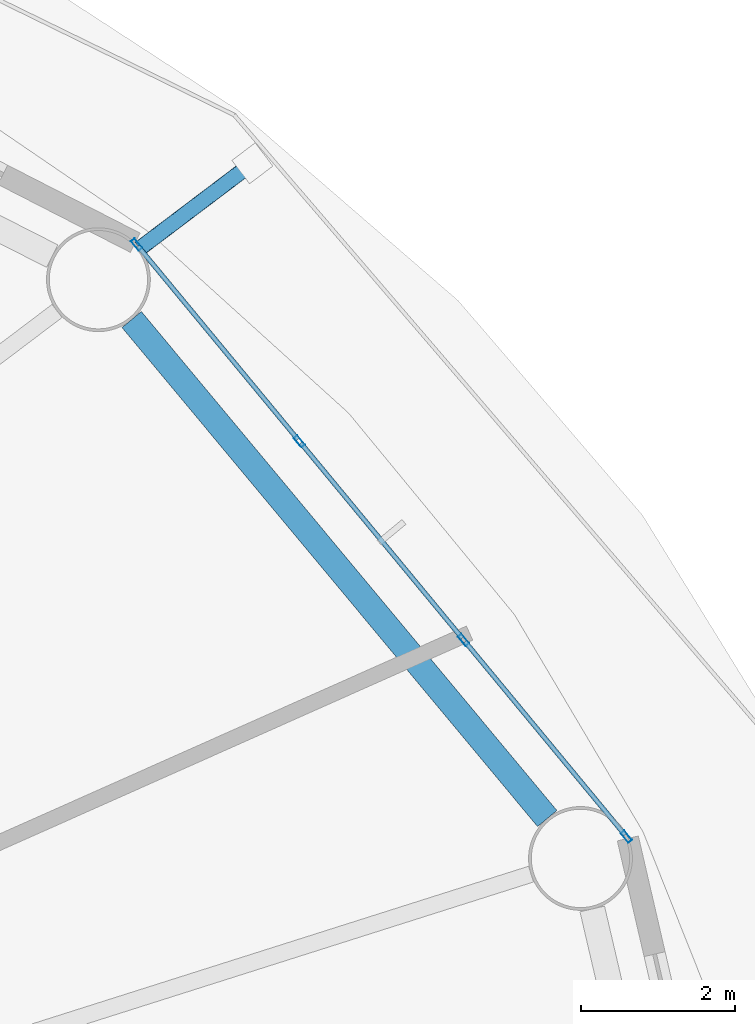
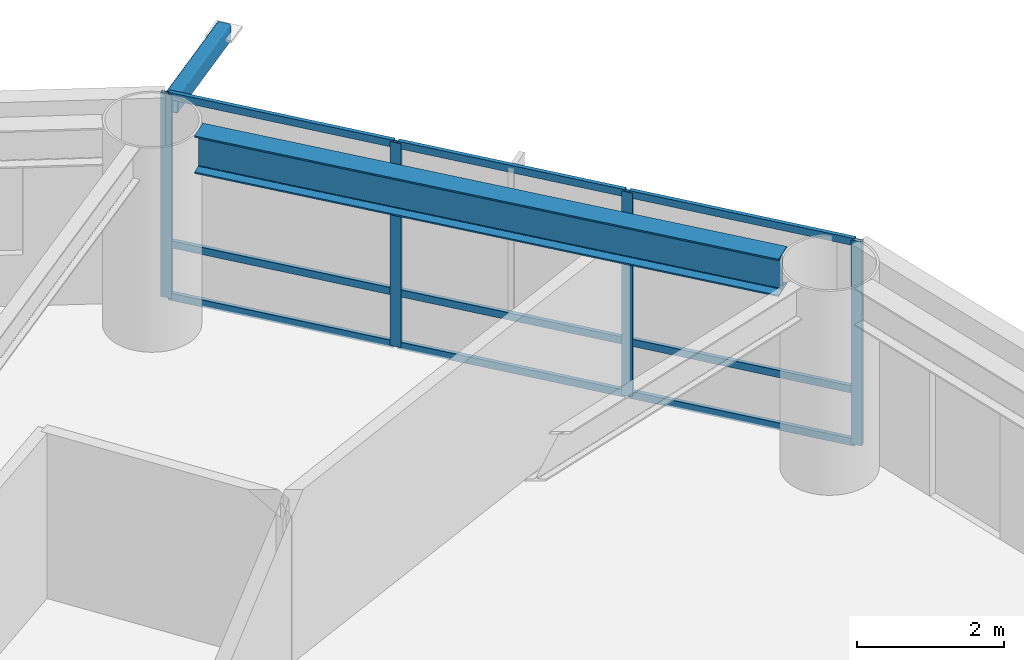
# One storey, part 14 of 26: 14 members, 1 beam, 1 element without a shape of its own.
"""IFC4 building model written with IfcOpenShell, lengths in metres."""

import ifcopenshell
import ifcopenshell.guid

model = None  # the IFC model being written
_history = None  # IfcOwnerHistory: only IFC2X3 demands one
_inside = {}  # id of a spatial element -> (the spatial element, [elements in it])
_under = {}  # id of a project, library or spatial element -> (it, [spatial elements below it])
_declared = {}  # id of a project -> (the project, [libraries it declares])
_typed = {}  # id of a type object -> (the type object, [elements of that type])
_made_of = {}  # id of a material, layer set ... -> (it, [elements and type objects made of it])


def new_model(schema):
    """Start an empty IFC model of exactly this schema.

    Asked for "IFC4X3", IfcOpenShell would pick the latest addendum, in which some entities
    have other attributes; the version numbers below select the first issue.
    IFC2X3 requires an IfcOwnerHistory on every rooted entity: one is made here for all.
    """
    global model, _history
    if schema == "IFC4X3":
        model = ifcopenshell.file(schema_version=(4, 3, 0, 0))
    else:
        model = ifcopenshell.file(schema=schema)
    _inside.clear()
    _under.clear()
    _declared.clear()
    _typed.clear()
    _made_of.clear()
    _history = None
    if model.schema == "IFC2X3":
        org = make("IfcOrganization", Name="unknown")
        user = make(
            "IfcPersonAndOrganization",
            ThePerson=make("IfcPerson", FamilyName="unknown"),
            TheOrganization=org,
        )
        app = make(
            "IfcApplication",
            ApplicationDeveloper=org,
            Version="unknown",
            ApplicationFullName="unknown",
            ApplicationIdentifier="unknown",
        )
        _history = make(
            "IfcOwnerHistory",
            OwningUser=user,
            OwningApplication=app,
            ChangeAction="ADDED",
            CreationDate=0,
        )
    return model


def make(cls, **values):
    """One entity of the class cls with the attributes given. An attribute that is None is left unset."""
    return model.create_entity(
        cls, **{name: value for name, value in values.items() if value is not None}
    )


def rooted(cls, **values):
    """An entity with a GlobalId (a new one), such as an element, a storey or a relation."""
    return make(cls, GlobalId=ifcopenshell.guid.new(), OwnerHistory=_history, **values)


def si_unit(unit_type, name, prefix=None):
    """IfcSIUnit, for example si_unit("LENGTHUNIT", "METRE", prefix="MILLI")."""
    return make("IfcSIUnit", UnitType=unit_type, Prefix=prefix, Name=name)


def assignment(units):
    """IfcUnitAssignment: the units of a project."""
    return None if units is None else make("IfcUnitAssignment", Units=units)


def point(xyz):
    """IfcCartesianPoint."""
    return None if xyz is None else make("IfcCartesianPoint", Coordinates=xyz)


def direction(xyz):
    """IfcDirection."""
    return None if xyz is None else make("IfcDirection", DirectionRatios=xyz)


def frame(location, z_axis=None, x_axis=None):
    """IfcAxis2Placement3D, a coordinate frame: its origin and axes. An axis left out is left unset."""
    return make(
        "IfcAxis2Placement3D",
        Location=point(location),
        Axis=direction(z_axis),
        RefDirection=direction(x_axis),
    )


def frame_2d(location, x_axis=None):
    """IfcAxis2Placement2D, a coordinate frame in the plane: its origin and x axis."""
    return make(
        "IfcAxis2Placement2D", Location=point(location), RefDirection=direction(x_axis)
    )


def origin():
    """The frame at (0, 0, 0) with its axes left unset."""
    return frame((0.0, 0.0, 0.0))


def origin_2d():
    """The frame at (0, 0) in the plane with its x axis left unset."""
    return frame_2d((0.0, 0.0))


def place(relative_to, where):
    """IfcLocalPlacement: puts the frame where relative to a parent placement (None: the world)."""
    return make(
        "IfcLocalPlacement", PlacementRelTo=relative_to, RelativePlacement=where
    )


def context(
    kind, dimensions, precision=None, world=None, true_north=None, identifier=None
):
    """IfcGeometricRepresentationContext, for example the 3D "Model" context."""
    return make(
        "IfcGeometricRepresentationContext",
        ContextIdentifier=identifier,
        ContextType=kind,
        CoordinateSpaceDimension=dimensions,
        Precision=precision,
        WorldCoordinateSystem=world,
        TrueNorth=true_north,
    )


def subcontext(parent, identifier, kind, view, scale=None):
    """IfcGeometricRepresentationSubContext, for example "Body" below "Model"."""
    return make(
        "IfcGeometricRepresentationSubContext",
        ContextIdentifier=identifier,
        ContextType=kind,
        ParentContext=parent,
        TargetScale=scale,
        TargetView=view,
    )


def project(units=None, contexts=None):
    """IfcProject with its units and contexts."""
    return rooted(
        "IfcProject",
        Name="project",
        RepresentationContexts=contexts,
        UnitsInContext=assignment(units),
    )


def spatial(cls, under=None, at=None, **own):
    """A site, building, storey or space (cls), placed at a placement, below another one or the project."""
    s = rooted(cls, ObjectPlacement=at, **own)
    if under is not None:
        _under.setdefault(under.id(), (under, []))[1].append(s)
    return s


def profile(cls, at=None, kind="AREA", **sizes):
    """A parametric profile (cls). Its sizes go by their IFC names, for example OverallWidth=200.0."""
    return make(cls, ProfileType=kind, Position=at, **sizes)


def hollow_rectangle(**sizes):
    """IfcRectangleHollowProfileDef."""
    return profile("IfcRectangleHollowProfileDef", **sizes)


def i_section(**sizes):
    """IfcIShapeProfileDef."""
    return profile("IfcIShapeProfileDef", **sizes)


def extrude(swept, where, along, depth):
    """IfcExtrudedAreaSolid: the profile swept, set in the frame where, extruded along a direction by depth."""
    return make(
        "IfcExtrudedAreaSolid",
        SweptArea=swept,
        Position=where,
        ExtrudedDirection=direction(along),
        Depth=depth,
    )


def shape(context_of_items, identifier, shape_type, items):
    """IfcShapeRepresentation: the items that make up one representation, for example the "Body"."""
    return make(
        "IfcShapeRepresentation",
        ContextOfItems=context_of_items,
        RepresentationIdentifier=identifier,
        RepresentationType=shape_type,
        Items=items,
    )


def material(Name=None, Category=None):
    """IfcMaterial."""
    return make("IfcMaterial", Name=Name, Category=Category)


def layer(
    of_material, thickness, ventilated=None, Name=None, Category=None, Priority=None
):
    """IfcMaterialLayer: one layer of a wall or slab, of a material (None: an air gap)."""
    return make(
        "IfcMaterialLayer",
        Material=of_material,
        LayerThickness=thickness,
        IsVentilated=ventilated,
        Name=Name,
        Category=Category,
        Priority=Priority,
    )


def layer_set(layers, Name=None):
    """IfcMaterialLayerSet."""
    return make("IfcMaterialLayerSet", MaterialLayers=layers, LayerSetName=Name)


def material_profile(
    of_material, cross_section, Name=None, Category=None, Priority=None
):
    """IfcMaterialProfile: a cross section and its material."""
    return make(
        "IfcMaterialProfile",
        Name=Name,
        Material=of_material,
        Profile=cross_section,
        Priority=Priority,
        Category=Category,
    )


def profile_set(profiles, Name=None, composite=None):
    """IfcMaterialProfileSet."""
    return make(
        "IfcMaterialProfileSet",
        Name=Name,
        MaterialProfiles=profiles,
        CompositeProfile=composite,
    )


def made_of(thing, what):
    """Note that an element or type object is made of a material, layer set ...; save() writes the relation."""
    if what is not None:
        _made_of.setdefault(what.id(), (what, []))[1].append(thing)
    return thing


def type_object(cls, material=None, **own):
    """A type object (cls), such as IfcWallType, which elements share."""
    return made_of(rooted(cls, **own), material)


def element(
    cls,
    number,
    at=None,
    inside=None,
    cuts=None,
    type_object=None,
    material=None,
    context=None,
    identifier="Body",
    shape_type=None,
    held_by="IfcProductDefinitionShape",
    body=None,
    shapes=None,
    **own,
):
    """One element of the class cls, such as IfcWall. Its Tag is "e" and its number.

    at: its placement. inside: the storey or other place that contains it. cuts: it is an
    opening in that element (IfcRelVoidsElement). A single representation is given by context,
    identifier, shape_type and body (its items); several are given by shapes. held_by: the class
    of the entity that holds the representations. save() writes the other relations.
    """
    e = rooted(cls, Tag="e%d" % number, ObjectPlacement=at, **own)
    if body is not None:
        shapes = [shape(context, identifier, shape_type, body)]
    if shapes is not None:
        e.Representation = make(held_by, Representations=shapes)
    if inside is not None:
        _inside.setdefault(inside.id(), (inside, []))[1].append(e)
    if cuts is not None:
        rooted(
            "IfcRelVoidsElement", RelatingBuildingElement=cuts, RelatedOpeningElement=e
        )
    if type_object is not None:
        _typed.setdefault(type_object.id(), (type_object, []))[1].append(e)
    return made_of(e, material)


def aggregate(whole, parts):
    """IfcRelAggregates: a whole, such as a stair, and the parts it consists of."""
    return rooted("IfcRelAggregates", RelatingObject=whole, RelatedObjects=parts)


def save(model, path):
    """Write the relations noted so far, then the file.

    IfcRelAggregates (storeys below a building ...), IfcRelContainedInSpatialStructure (elements
    in a storey), IfcRelDefinesByType, IfcRelAssociatesMaterial and IfcRelDeclares: one each for
    every whole, place, type object, material and project.
    """
    for whole, parts in _under.values():
        aggregate(whole, parts)
    for where, things in _inside.values():
        rooted(
            "IfcRelContainedInSpatialStructure",
            RelatedElements=things,
            RelatingStructure=where,
        )
    for kind, things in _typed.values():
        rooted("IfcRelDefinesByType", RelatedObjects=things, RelatingType=kind)
    for what, things in _made_of.values():
        rooted("IfcRelAssociatesMaterial", RelatedObjects=things, RelatingMaterial=what)
    for by, libraries in _declared.values():
        rooted("IfcRelDeclares", RelatingContext=by, RelatedDefinitions=libraries)
    model.write(path)


model = new_model("IFC4")

# Units and contexts
model_context = context("Model", 3, precision=1e-05, world=origin(), true_north=direction((0.0, 1.0)))
body_context = subcontext(model_context, "Body", "Model", "MODEL_VIEW")
ifc_project = project(units=[si_unit("LENGTHUNIT", "METRE"), si_unit("AREAUNIT", "SQUARE_METRE"), si_unit("VOLUMEUNIT", "CUBIC_METRE"), si_unit("PLANEANGLEUNIT", "RADIAN"), si_unit("MASSUNIT", "GRAM", prefix="KILO")], contexts=[model_context])

# Site, building, storey
site_placement = place(None, origin())
site = spatial("IfcSite", under=ifc_project, at=site_placement, CompositionType="ELEMENT")
building_placement = place(site_placement, origin())
building = spatial("IfcBuilding", under=site, at=building_placement, Name="Sarneth Arch Tower", CompositionType="ELEMENT")
storey_placement = place(building_placement, frame((0.0, 0.0, 57.0)))
storey = spatial("IfcBuildingStorey", under=building, at=storey_placement, Name="L13", CompositionType="ELEMENT", Elevation=57.0)

# Beam
ifc_material_1 = material(Name="Steel S355", Category="steel")
ifc_material_profile_1 = material_profile(ifc_material_1, i_section(OverallWidth=0.326904296875, OverallDepth=0.6220703125, WebThickness=0.015380859375, FlangeThickness=0.0244140625, FilletRadius=0.01904296875, at=origin_2d()), Name="W610x195")
ifc_profile_set_1 = profile_set([ifc_material_profile_1], Name="Steel S355")
beam_type = type_object("IfcBeamType", Name="BM-SPAN-610A", PredefinedType="SPANDREL", material=ifc_profile_set_1)
beam_placement = place(storey_placement, frame((75.533447265625, 51.39697265625, 3.069091796875), z_axis=(-0.639979646835, 0.768391860731, 0.0), x_axis=(-0.768391860731, -0.639979646835, 0.0)))
element("IfcBeam", 1, at=beam_placement, inside=storey, type_object=beam_type, Name="L13 Perimeter spandrel beam 02", PredefinedType="SPANDREL", context=body_context, shape_type="SweptSolid", body=[
    extrude(i_section(OverallWidth=0.326904296875, OverallDepth=0.6220703125, WebThickness=0.015380859375, FlangeThickness=0.0244140625, FilletRadius=0.01904296875, at=origin_2d()), origin(), (0.0, 0.0, 1.0), 8.4453125),
])

# Curtain wall, members
ifc_material_2 = material(Name="Anodised aluminium Type AA25 and solar-control low-e laminated IGU", Category="aluminium")
ifc_layer = layer(ifc_material_2, 0.159912109375)
ifc_layer_set = layer_set([ifc_layer], Name="Anodised aluminium Type AA25 and solar-control low-e laminated IGU")
curtain_wall_type = type_object("IfcCurtainWallType", Name="CW-HOTEL-LOW", PredefinedType="NOTDEFINED", material=ifc_layer_set)
curtain_wall_placement = place(storey_placement, origin())
curtain_wall = element("IfcCurtainWall", 2, at=curtain_wall_placement, inside=storey, type_object=curtain_wall_type, Name="L13 Unitised curtain wall facet 02", PredefinedType="NOTDEFINED")
ifc_material_3 = material(Name="Anodised Aluminium 6063-T6", Category="aluminium")
ifc_material_profile_2 = material_profile(ifc_material_3, hollow_rectangle(XDim=0.06005859375, YDim=0.159912109375, WallThickness=0.00390625, at=origin_2d()), Name="AL-MULL-160x60x4")
ifc_profile_set_2 = profile_set([ifc_material_profile_2], Name="Anodised Aluminium 6063-T6")
member_type_1 = type_object("IfcMemberType", Name="CW-MULLION", PredefinedType="MULLION", material=ifc_profile_set_2)
member_1_placement = place(storey_placement, frame((76.561767578125, 51.16162109375, 0.0), z_axis=(0.0, 0.0, 1.0), x_axis=(-0.770622960278, -0.637291340827, 0.0)))
member_1 = element("IfcMember", 3, at=member_1_placement, type_object=member_type_1, Name="CW-SYS-3 mullion 1", PredefinedType="MULLION", context=body_context, shape_type="SweptSolid", body=[
    extrude(hollow_rectangle(XDim=0.06005859375, YDim=0.159912109375, WallThickness=0.00390625, at=origin_2d()), origin(), (0.0, 0.0, 1.0), 3.3798828125),
])
member_2_placement = place(storey_placement, frame((74.4453125, 53.720947265625, 0.0), z_axis=(0.0, 0.0, 1.0), x_axis=(-0.770622960278, -0.637291340827, 0.0)))
member_2 = element("IfcMember", 4, at=member_2_placement, type_object=member_type_1, Name="CW-SYS-3 mullion 2", PredefinedType="MULLION", context=body_context, shape_type="SweptSolid", body=[
    extrude(hollow_rectangle(XDim=0.06005859375, YDim=0.159912109375, WallThickness=0.00390625, at=origin_2d()), origin(), (0.0, 0.0, 1.0), 3.3798828125),
])
member_3_placement = place(storey_placement, frame((72.309814453125, 56.30322265625, 0.0), z_axis=(0.0, 0.0, 1.0), x_axis=(-0.770622960278, -0.637291340827, 0.0)))
member_3 = element("IfcMember", 5, at=member_3_placement, type_object=member_type_1, Name="CW-SYS-3 mullion 3", PredefinedType="MULLION", context=body_context, shape_type="SweptSolid", body=[
    extrude(hollow_rectangle(XDim=0.06005859375, YDim=0.159912109375, WallThickness=0.00390625, at=origin_2d()), origin(), (0.0, 0.0, 1.0), 3.3798828125),
])
member_4_placement = place(storey_placement, frame((70.193359375, 58.862548828125, 0.0), z_axis=(0.0, 0.0, 1.0), x_axis=(-0.770622960278, -0.637291340827, 0.0)))
member_4 = element("IfcMember", 6, at=member_4_placement, type_object=member_type_1, Name="CW-SYS-3 mullion 4", PredefinedType="MULLION", context=body_context, shape_type="SweptSolid", body=[
    extrude(hollow_rectangle(XDim=0.06005859375, YDim=0.159912109375, WallThickness=0.00390625, at=origin_2d()), origin(), (0.0, 0.0, 1.0), 3.3798828125),
])
ifc_material_4 = material(Name="Anodised Aluminium 6063-T6", Category="aluminium")
ifc_material_profile_3 = material_profile(ifc_material_4, hollow_rectangle(XDim=0.06005859375, YDim=0.1201171875, WallThickness=0.00390625, at=origin_2d()), Name="AL-TRAN-120x60x4")
ifc_profile_set_3 = profile_set([ifc_material_profile_3], Name="Anodised Aluminium 6063-T6")
member_type_2 = type_object("IfcMemberType", Name="CW-TRANSOM", PredefinedType="USERDEFINED", material=ifc_profile_set_3)
member_5_placement = place(storey_placement, frame((76.542724609375, 51.184814453125, 0.030029296875), z_axis=(-0.63733019572, 0.77059082633, 0.0), x_axis=(-0.77059082633, -0.63733019572, 0.0)))
member_5 = element("IfcMember", 7, at=member_5_placement, type_object=member_type_2, Name="CW-SYS-3 transom 1.1", ObjectType="TRANSOM", PredefinedType="USERDEFINED", context=body_context, shape_type="SweptSolid", body=[
    extrude(hollow_rectangle(XDim=0.06005859375, YDim=0.1201171875, WallThickness=0.00390625, at=origin_2d()), origin(), (0.0, 0.0, 1.0), 3.260986328125),
])
member_6_placement = place(storey_placement, frame((76.542724609375, 51.184814453125, 0.89990234375), z_axis=(-0.63733019572, 0.77059082633, 0.0), x_axis=(-0.77059082633, -0.63733019572, 0.0)))
member_6 = element("IfcMember", 8, at=member_6_placement, type_object=member_type_2, Name="CW-SYS-3 transom 1.2", ObjectType="TRANSOM", PredefinedType="USERDEFINED", context=body_context, shape_type="SweptSolid", body=[
    extrude(hollow_rectangle(XDim=0.06005859375, YDim=0.1201171875, WallThickness=0.00390625, at=origin_2d()), origin(), (0.0, 0.0, 1.0), 3.260986328125),
])
member_7_placement = place(storey_placement, frame((76.542724609375, 51.184814453125, 3.35009765625), z_axis=(-0.63733019572, 0.77059082633, 0.0), x_axis=(-0.77059082633, -0.63733019572, 0.0)))
member_7 = element("IfcMember", 9, at=member_7_placement, type_object=member_type_2, Name="CW-SYS-3 transom 1.3", ObjectType="TRANSOM", PredefinedType="USERDEFINED", context=body_context, shape_type="SweptSolid", body=[
    extrude(hollow_rectangle(XDim=0.06005859375, YDim=0.1201171875, WallThickness=0.00390625, at=origin_2d()), origin(), (0.0, 0.0, 1.0), 3.260986328125),
])
member_8_placement = place(storey_placement, frame((74.42626953125, 53.743896484375, 0.030029296875), z_axis=(-0.637268595771, 0.770641769465, 0.0), x_axis=(-0.770641769465, -0.637268595771, 0.0)))
member_8 = element("IfcMember", 10, at=member_8_placement, type_object=member_type_2, Name="CW-SYS-3 transom 2.1", ObjectType="TRANSOM", PredefinedType="USERDEFINED", context=body_context, shape_type="SweptSolid", body=[
    extrude(hollow_rectangle(XDim=0.06005859375, YDim=0.1201171875, WallThickness=0.00390625, at=origin_2d()), origin(), (0.0, 0.0, 1.0), 3.291259765625),
])
member_9_placement = place(storey_placement, frame((74.42626953125, 53.743896484375, 0.89990234375), z_axis=(-0.637268595771, 0.770641769465, 0.0), x_axis=(-0.770641769465, -0.637268595771, 0.0)))
member_9 = element("IfcMember", 11, at=member_9_placement, type_object=member_type_2, Name="CW-SYS-3 transom 2.2", ObjectType="TRANSOM", PredefinedType="USERDEFINED", context=body_context, shape_type="SweptSolid", body=[
    extrude(hollow_rectangle(XDim=0.06005859375, YDim=0.1201171875, WallThickness=0.00390625, at=origin_2d()), origin(), (0.0, 0.0, 1.0), 3.291259765625),
])
member_10_placement = place(storey_placement, frame((74.42626953125, 53.743896484375, 3.35009765625), z_axis=(-0.637268595771, 0.770641769465, 0.0), x_axis=(-0.770641769465, -0.637268595771, 0.0)))
member_10 = element("IfcMember", 12, at=member_10_placement, type_object=member_type_2, Name="CW-SYS-3 transom 2.3", ObjectType="TRANSOM", PredefinedType="USERDEFINED", context=body_context, shape_type="SweptSolid", body=[
    extrude(hollow_rectangle(XDim=0.06005859375, YDim=0.1201171875, WallThickness=0.00390625, at=origin_2d()), origin(), (0.0, 0.0, 1.0), 3.291259765625),
])
member_11_placement = place(storey_placement, frame((72.29052734375, 56.326416015625, 0.030029296875), z_axis=(-0.637285736625, 0.770627594817, 0.0), x_axis=(-0.770627594817, -0.637285736625, 0.0)))
member_11 = element("IfcMember", 13, at=member_11_placement, type_object=member_type_2, Name="CW-SYS-3 transom 3.1", ObjectType="TRANSOM", PredefinedType="USERDEFINED", context=body_context, shape_type="SweptSolid", body=[
    extrude(hollow_rectangle(XDim=0.06005859375, YDim=0.1201171875, WallThickness=0.00390625, at=origin_2d()), origin(), (0.0, 0.0, 1.0), 3.260986328125),
])
member_12_placement = place(storey_placement, frame((72.29052734375, 56.326416015625, 0.89990234375), z_axis=(-0.637285736625, 0.770627594817, 0.0), x_axis=(-0.770627594817, -0.637285736625, 0.0)))
member_12 = element("IfcMember", 14, at=member_12_placement, type_object=member_type_2, Name="CW-SYS-3 transom 3.2", ObjectType="TRANSOM", PredefinedType="USERDEFINED", context=body_context, shape_type="SweptSolid", body=[
    extrude(hollow_rectangle(XDim=0.06005859375, YDim=0.1201171875, WallThickness=0.00390625, at=origin_2d()), origin(), (0.0, 0.0, 1.0), 3.260986328125),
])
member_13_placement = place(storey_placement, frame((72.29052734375, 56.326416015625, 3.35009765625), z_axis=(-0.637285736625, 0.770627594817, 0.0), x_axis=(-0.770627594817, -0.637285736625, 0.0)))
member_13 = element("IfcMember", 15, at=member_13_placement, type_object=member_type_2, Name="CW-SYS-3 transom 3.3", ObjectType="TRANSOM", PredefinedType="USERDEFINED", context=body_context, shape_type="SweptSolid", body=[
    extrude(hollow_rectangle(XDim=0.06005859375, YDim=0.1201171875, WallThickness=0.00390625, at=origin_2d()), origin(), (0.0, 0.0, 1.0), 3.260986328125),
])
aggregate(curtain_wall, [member_1, member_2, member_3, member_4, member_5, member_6, member_7, member_8, member_9, member_10, member_11, member_12, member_13])

# Member
ifc_material_5 = material(Name="Steel S355", Category="steel")
ifc_material_profile_4 = material_profile(ifc_material_5, hollow_rectangle(XDim=0.199951171875, YDim=0.300048828125, WallThickness=0.012451171875, InnerFilletRadius=0.018798828125, OuterFilletRadius=0.03125, at=origin_2d()), Name="RHS300x200x12.5")
ifc_profile_set_4 = profile_set([ifc_material_profile_4], Name="Steel S355")
member_type_3 = type_object("IfcMemberType", Name="MEM-CANT-STRUT", PredefinedType="STRUT", material=ifc_profile_set_4)
member_14_placement = place(storey_placement, frame((70.235107421875, 58.81201171875, 3.219970703125), z_axis=(0.797646841747, 0.603124792934, 0.0), x_axis=(-0.603124792934, 0.797646841747, 0.0)))
element("IfcMember", 16, at=member_14_placement, inside=storey, type_object=member_type_3, Name="L13 Balcony cantilever bracket 03", PredefinedType="STRUT", context=body_context, shape_type="SweptSolid", body=[
    extrude(hollow_rectangle(XDim=0.199951171875, YDim=0.300048828125, WallThickness=0.012451171875, InnerFilletRadius=0.018798828125, OuterFilletRadius=0.03125, at=origin_2d()), origin(), (0.0, 0.0, 1.0), 1.8349609375),
])

save(model, "model.ifc")
